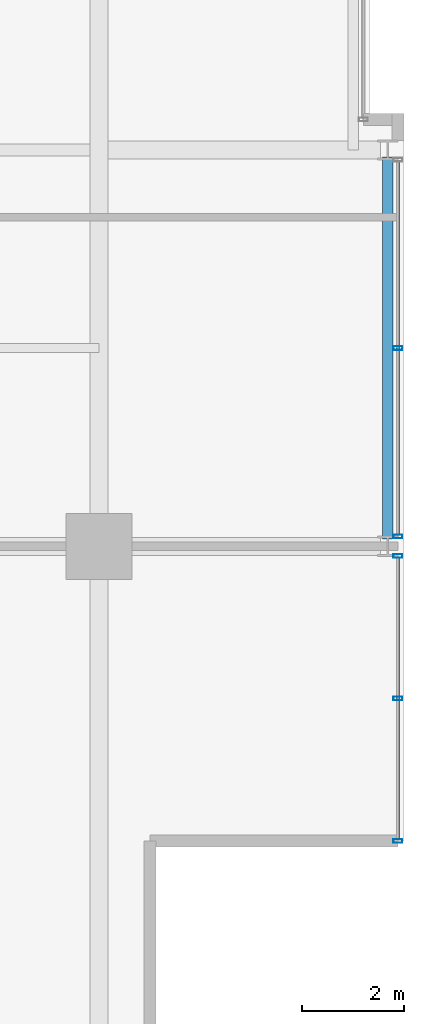
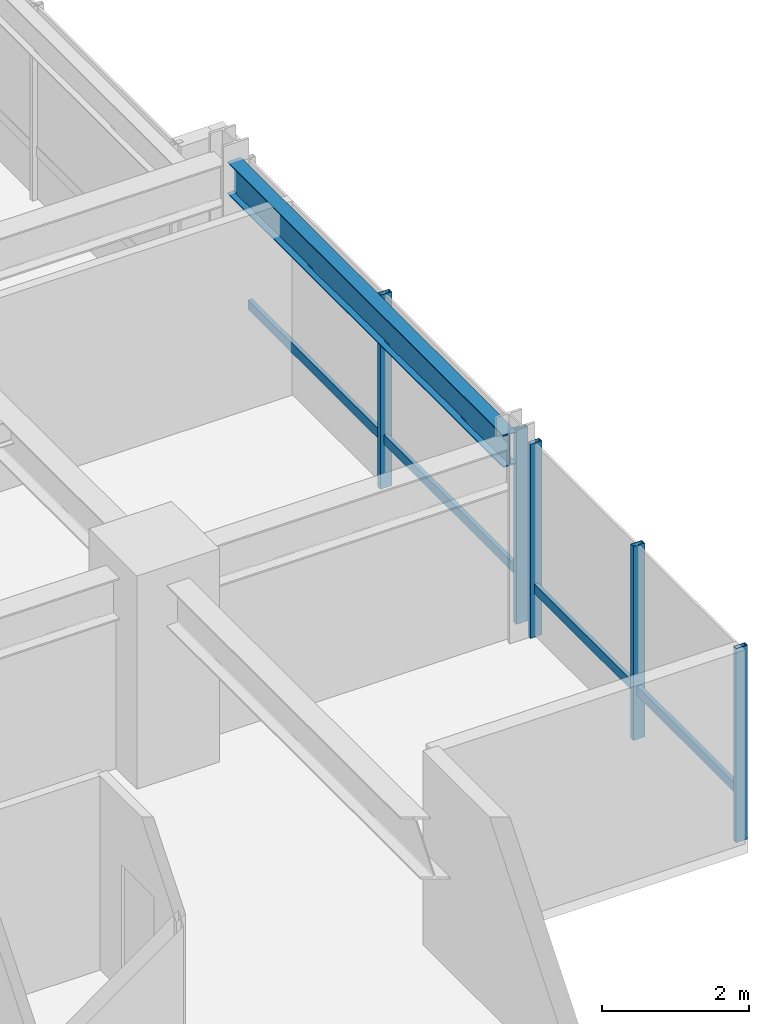
# One storey, part 13 of 33: 7 members, 1 beam, 2 elements without a shape of their own.
"""IFC4 building model written with IfcOpenShell, lengths in metres."""

from ifc_helpers import new_model, si_unit, direction, frame, origin, origin_2d, place, context, subcontext, project, spatial, hollow_rectangle, i_section, extrude, material, layer, layer_set, material_profile, profile_set, type_object, element, aggregate, save


model = new_model("IFC4")

# Units and contexts
model_context = context("Model", 3, precision=1e-05, world=origin(), true_north=direction((0.0, 1.0)))
body_context = subcontext(model_context, "Body", "Model", "MODEL_VIEW")
ifc_project = project(units=[si_unit("LENGTHUNIT", "METRE"), si_unit("AREAUNIT", "SQUARE_METRE"), si_unit("VOLUMEUNIT", "CUBIC_METRE"), si_unit("PLANEANGLEUNIT", "RADIAN"), si_unit("MASSUNIT", "GRAM", prefix="KILO")], contexts=[model_context])

# Site, building, storey
site_placement = place(None, origin())
site = spatial("IfcSite", under=ifc_project, at=site_placement, CompositionType="ELEMENT")
building_placement = place(site_placement, origin())
building = spatial("IfcBuilding", under=site, at=building_placement, Name="Drelvath Grand Hotel", CompositionType="ELEMENT")
storey_placement = place(building_placement, frame((0.0, 0.0, 196.550048828125)))
storey = spatial("IfcBuildingStorey", under=building, at=storey_placement, Name="L51", CompositionType="ELEMENT", Elevation=196.550048828125)

# Curtain wall, member
ifc_material_1 = material(Name="Brushed Pale-Silver Anodised Aluminium Frame", Category="aluminium")
ifc_layer = layer(ifc_material_1, 0.199951171875)
ifc_layer_set = layer_set([ifc_layer], Name="Brushed Pale-Silver Anodised Aluminium Frame")
curtain_wall_type = type_object("IfcCurtainWallType", Name="Stick Curtain Wall CW-04 Brushed Silver Upper-Mid", PredefinedType="NOTDEFINED", material=ifc_layer_set)
curtain_wall_1_placement = place(storey_placement, origin())
curtain_wall_1 = element("IfcCurtainWall", 1, at=curtain_wall_1_placement, inside=storey, type_object=curtain_wall_type, Name="L51 CW-04 Curtain Wall CW04-L51-ES1", PredefinedType="NOTDEFINED")
ifc_material_profile_1 = material_profile(ifc_material_1, hollow_rectangle(XDim=0.06494140625, YDim=0.159912109375, WallThickness=0.00390625, at=origin_2d()), Name="HSS160X65X4")
ifc_profile_set_1 = profile_set([ifc_material_profile_1], Name="Brushed Pale-Silver Anodised Aluminium Frame")
member_type_1 = type_object("IfcMemberType", Name="Curtain Wall Horizontal Transom CW-04 HSS160X65X4", PredefinedType="USERDEFINED", material=ifc_profile_set_1)
member_1_placement = place(storey_placement, frame((22.080078125, 10.568359375, 0.807373046875), z_axis=(0.0, -1.0, 0.0), x_axis=(1.0, 0.0, 0.0)))
member_1 = element("IfcMember", 2, at=member_1_placement, type_object=member_type_1, Name="CW04-L51-ES1 Sill Transom", ObjectType="TRANSOM", PredefinedType="USERDEFINED", context=body_context, shape_type="SweptSolid", body=[
    extrude(hollow_rectangle(XDim=0.06494140625, YDim=0.159912109375, WallThickness=0.00390625, at=origin_2d()), origin(), (0.0, 0.0, 1.0), 5.5283203125),
])

curtain_wall_2_placement = place(storey_placement, origin())
curtain_wall_2 = element("IfcCurtainWall", 3, at=curtain_wall_2_placement, inside=storey, type_object=curtain_wall_type, Name="L51 CW-04 Curtain Wall CW04-L51-ES2", PredefinedType="NOTDEFINED")
member_2_placement = place(storey_placement, frame((22.080078125, 18.368408203125, 0.807373046875), z_axis=(0.0, -1.0, 0.0), x_axis=(1.0, 0.0, 0.0)))
member_2 = element("IfcMember", 4, at=member_2_placement, type_object=member_type_1, Name="CW04-L51-ES2 Sill Transom", ObjectType="TRANSOM", PredefinedType="USERDEFINED", context=body_context, shape_type="SweptSolid", body=[
    extrude(hollow_rectangle(XDim=0.06494140625, YDim=0.159912109375, WallThickness=0.00390625, at=origin_2d()), origin(), (0.0, 0.0, 1.0), 7.336669921875),
])

# Member
ifc_material_profile_2 = material_profile(ifc_material_1, hollow_rectangle(XDim=0.074951171875, YDim=0.179931640625, WallThickness=0.0048828125, at=origin_2d()), Name="HSS180X75X5")
ifc_profile_set_2 = profile_set([ifc_material_profile_2], Name="Brushed Pale-Silver Anodised Aluminium Frame")
member_type_2 = type_object("IfcMemberType", Name="Curtain Wall Vertical Mullion CW-04 HSS180X75X5", PredefinedType="MULLION", material=ifc_profile_set_2)
member_3_placement = place(storey_placement, frame((22.080078125, 10.6083984375, 0.0), z_axis=(0.0, 0.0, 1.0), x_axis=(0.0, 1.0, 0.0)))
member_3 = element("IfcMember", 5, at=member_3_placement, type_object=member_type_2, Name="CW04-L51-ES1 Mullion 1", PredefinedType="MULLION", context=body_context, shape_type="SweptSolid", body=[
    extrude(hollow_rectangle(XDim=0.074951171875, YDim=0.179931640625, WallThickness=0.0048828125, at=origin_2d()), origin(), (0.0, 0.0, 1.0), 3.22998046875),
])

member_4_placement = place(storey_placement, frame((22.080078125, 7.80419921875, 0.0), z_axis=(0.0, 0.0, 1.0), x_axis=(0.0, 1.0, 0.0)))
member_4 = element("IfcMember", 6, at=member_4_placement, type_object=member_type_2, Name="CW04-L51-ES1 Mullion 2", PredefinedType="MULLION", context=body_context, shape_type="SweptSolid", body=[
    extrude(hollow_rectangle(XDim=0.074951171875, YDim=0.179931640625, WallThickness=0.0048828125, at=origin_2d()), origin(), (0.0, 0.0, 1.0), 3.22998046875),
])

member_5_placement = place(storey_placement, frame((22.080078125, 5.0, 0.0), z_axis=(0.0, 0.0, 1.0), x_axis=(0.0, 1.0, 0.0)))
member_5 = element("IfcMember", 7, at=member_5_placement, type_object=member_type_2, Name="CW04-L51-ES1 Mullion 3", PredefinedType="MULLION", context=body_context, shape_type="SweptSolid", body=[
    extrude(hollow_rectangle(XDim=0.074951171875, YDim=0.179931640625, WallThickness=0.0048828125, at=origin_2d()), origin(), (0.0, 0.0, 1.0), 3.22998046875),
])

aggregate(curtain_wall_1, [member_3, member_4, member_5, member_1])

member_6_placement = place(storey_placement, frame((22.080078125, 14.7001953125, 0.0), z_axis=(0.0, 0.0, 1.0), x_axis=(0.0, 1.0, 0.0)))
member_6 = element("IfcMember", 8, at=member_6_placement, type_object=member_type_2, Name="CW04-L51-ES2 Mullion 2", PredefinedType="MULLION", context=body_context, shape_type="SweptSolid", body=[
    extrude(hollow_rectangle(XDim=0.074951171875, YDim=0.179931640625, WallThickness=0.0048828125, at=origin_2d()), origin(), (0.0, 0.0, 1.0), 3.22998046875),
])

member_7_placement = place(storey_placement, frame((22.080078125, 10.99169921875, 0.0), z_axis=(0.0, 0.0, 1.0), x_axis=(0.0, 1.0, 0.0)))
member_7 = element("IfcMember", 9, at=member_7_placement, type_object=member_type_2, Name="CW04-L51-ES2 Mullion 3", PredefinedType="MULLION", context=body_context, shape_type="SweptSolid", body=[
    extrude(hollow_rectangle(XDim=0.074951171875, YDim=0.179931640625, WallThickness=0.0048828125, at=origin_2d()), origin(), (0.0, 0.0, 1.0), 3.22998046875),
])

aggregate(curtain_wall_2, [member_6, member_7, member_2])

# Beam
ifc_material_2 = material(Name="Steel ASTM A992 Gr 50", Category="steel")
ifc_material_profile_3 = material_profile(ifc_material_2, i_section(OverallWidth=0.210205078125, OverallDepth=0.53662109375, WebThickness=0.010986328125, FlangeThickness=0.017333984375, FilletRadius=0.01806640625, at=origin_2d()), Name="W21X68")
ifc_profile_set_3 = profile_set([ifc_material_profile_3], Name="Steel ASTM A992 Gr 50")
beam_type = type_object("IfcBeamType", Name="Perimeter Spandrel Beam W21X68", PredefinedType="SPANDREL", material=ifc_profile_set_3)
beam_placement = place(storey_placement, frame((21.8798828125, 10.93994140625, 2.961669921875), z_axis=(0.0, 1.0, 0.0), x_axis=(-1.0, 0.0, 0.0)))
element("IfcBeam", 10, at=beam_placement, inside=storey, type_object=beam_type, Name="L51 Spandrel East S", PredefinedType="SPANDREL", context=body_context, shape_type="SweptSolid", body=[
    extrude(i_section(OverallWidth=0.210205078125, OverallDepth=0.53662109375, WebThickness=0.010986328125, FlangeThickness=0.017333984375, FilletRadius=0.01806640625, at=origin_2d()), origin(), (0.0, 0.0, 1.0), 7.52001953125),
])

save(model, "model.ifc")
